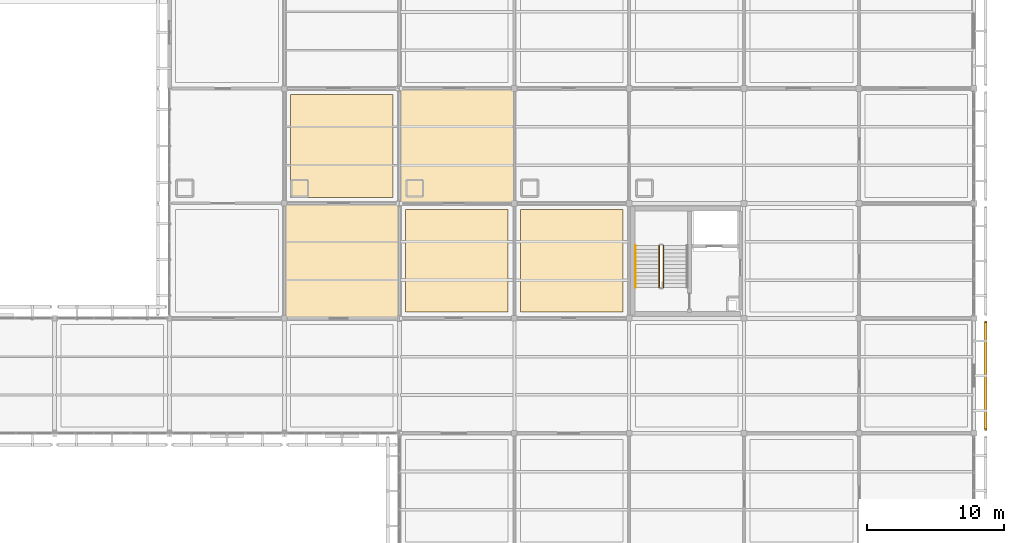
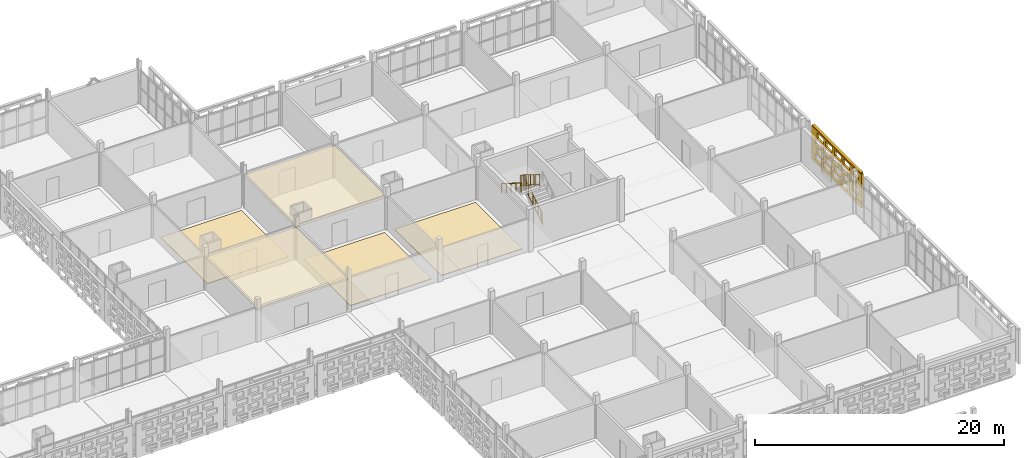
# One storey, part 162 of 166: 6 coverings, 3 railings, 1 shading device, 20 openings.
"""IFC4 building model written with IfcOpenShell, lengths in metres."""

from ifc_helpers import new_model, si_unit, direction, frame, frame_2d, origin, origin_2d, place, context, subcontext, project, spatial, rectangle, circle, extrude, material, layer, layer_set, type_object, element, save


model = new_model("IFC4")

# Units and contexts
model_context = context("Model", 3, precision=1e-05, world=origin(), true_north=direction((0.0, 1.0)))
body_context = subcontext(model_context, "Body", "Model", "MODEL_VIEW")
ifc_project = project(units=[si_unit("LENGTHUNIT", "METRE"), si_unit("AREAUNIT", "SQUARE_METRE"), si_unit("VOLUMEUNIT", "CUBIC_METRE"), si_unit("PLANEANGLEUNIT", "RADIAN"), si_unit("MASSUNIT", "GRAM", prefix="KILO")], contexts=[model_context])

# Site, building, storey
site_placement = place(None, origin())
site = spatial("IfcSite", under=ifc_project, at=site_placement, CompositionType="ELEMENT")
building_placement = place(site_placement, origin())
building = spatial("IfcBuilding", under=site, at=building_placement, Name="Varnapada Polytechnic", CompositionType="ELEMENT")
storey_placement = place(building_placement, frame((0.0, 0.0, 9.60009765625)))
storey = spatial("IfcBuildingStorey", under=building, at=storey_placement, Name="L02", CompositionType="ELEMENT", Elevation=9.60009765625)

# Coverings
ifc_material_1 = material(Name="End-Grain Timber Studio Block Flooring", Category="wood")
ifc_layer_1 = layer(ifc_material_1, 0.054931640625)
ifc_layer_set_1 = layer_set([ifc_layer_1], Name="End-Grain Timber Studio Block Flooring")
covering_type_1 = type_object("IfcCoveringType", Name="Floor Finish FLR-04", PredefinedType="FLOORING", material=ifc_layer_set_1)
for number, where, z_axis, x_axis, name in (
    (1, (130.199951171875, 105.0, 0.0), (0.0, 0.0, 1.0), (1.0, 0.0, 0.0), "L02 floor finish panel (16,13)"),
    (2, (138.60009765625, 96.60009765625, 0.0), (0.0, 0.0, 1.0), (1.0, 0.0, 0.0), "L02 floor finish panel (17,12)"),
    (3, (147.0, 96.60009765625, 0.0), (0.0, 0.0, 1.0), (1.0, 0.0, 0.0), "L02 floor finish panel (18,12)"),
):
    element("IfcCovering", number, at=place(storey_placement, frame(where, z_axis=z_axis, x_axis=x_axis)), inside=storey, type_object=covering_type_1, Name=name, PredefinedType="FLOORING", context=body_context, shape_type="SweptSolid", body=[
        extrude(rectangle(XDim=7.5, YDim=7.5, at=origin_2d()), origin(), (0.0, 0.0, 1.0), 0.054931640625),
    ])

# Railings
ifc_material_2 = material(Name="Brushed Stainless Steel 316", Category="steel")
railing_type_1 = type_object("IfcRailingType", Name="Stair Wall Handrail SHR-01", PredefinedType="HANDRAIL", material=ifc_material_2)
railing_1_placement = place(storey_placement, frame((151.64990234375, 97.72998046875, 2.27490234375)))
element("IfcRailing", 4, at=railing_1_placement, inside=storey, type_object=railing_type_1, Name="L02 ST-5 stair handrail 2", PredefinedType="HANDRAIL", context=body_context, shape_type="SweptSolid", body=[
    extrude(circle(Radius=0.02392578125, at=origin_2d()), frame((0.0, 0.0, 0.8759765625), z_axis=(0.0, -0.847998304005, 0.529998940003), x_axis=(1.0, 0.0, 0.0)), (0.0, 0.0, 1.0), 3.632080078125),
    extrude(circle(Radius=0.02099609375, at=origin_2d()), origin(), (0.0, 0.0, 1.0), 0.851806640625),
    extrude(circle(Radius=0.02099609375, at=origin_2d()), frame((0.0, -0.77001953125, 0.481201171875)), (0.0, 0.0, 1.0), 0.851806640625),
    extrude(circle(Radius=0.02099609375, at=origin_2d()), frame((0.0, -1.5400390625, 0.96240234375)), (0.0, 0.0, 1.0), 0.851806640625),
    extrude(circle(Radius=0.02099609375, at=origin_2d()), frame((0.0, -2.31005859375, 1.44384765625)), (0.0, 0.0, 1.0), 0.851806640625),
    extrude(circle(Radius=0.02099609375, at=origin_2d()), frame((0.0, -3.080078125, 1.925048828125)), (0.0, 0.0, 1.0), 0.851806640625),
])
railing_type_2 = type_object("IfcRailingType", Name="Stair Well Guard Rail SGR-01", PredefinedType="BALUSTRADE", material=ifc_material_2)
railing_2_placement = place(storey_placement, frame((153.699951171875, 94.64990234375, 0.1748046875)))
element("IfcRailing", 5, at=railing_2_placement, inside=storey, type_object=railing_type_2, Name="L02 ST-5 stair guard 1", PredefinedType="BALUSTRADE", context=body_context, shape_type="SweptSolid", body=[
    extrude(circle(Radius=0.02392578125, at=origin_2d()), frame((0.0, 0.0, 1.09619140625), z_axis=(0.0, 0.847998304005, 0.529998940003), x_axis=(-1.0, 0.0, 0.0)), (0.0, 0.0, 1.0), 3.632080078125),
    extrude(circle(Radius=0.02392578125, at=origin_2d()), frame((0.0, 0.0, 0.10009765625), z_axis=(0.0, 0.847998304005, 0.529998940003), x_axis=(-1.0, 0.0, 0.0)), (0.0, 0.0, 1.0), 3.632080078125),
    extrude(circle(Radius=0.02099609375, at=origin_2d()), origin(), (0.0, 0.0, 1.0), 1.072021484375),
    extrude(circle(Radius=0.02099609375, at=origin_2d()), frame((0.0, 0.77001953125, 0.481201171875)), (0.0, 0.0, 1.0), 1.072021484375),
    extrude(circle(Radius=0.02099609375, at=origin_2d()), frame((0.0, 1.5400390625, 0.96240234375)), (0.0, 0.0, 1.0), 1.072021484375),
    extrude(circle(Radius=0.02099609375, at=origin_2d()), frame((0.0, 2.31005859375, 1.44384765625)), (0.0, 0.0, 1.0), 1.072021484375),
    extrude(circle(Radius=0.02099609375, at=origin_2d()), frame((0.0, 3.080078125, 1.925048828125)), (0.0, 0.0, 1.0), 1.072021484375),
    extrude(circle(Radius=0.010009765625, at=origin_2d()), frame((0.0, 0.205322265625, 0.228515625)), (0.0, 0.0, 1.0), 0.971923828125),
    extrude(circle(Radius=0.010009765625, at=origin_2d()), frame((0.0, 0.41064453125, 0.356689453125)), (0.0, 0.0, 1.0), 0.971923828125),
    extrude(circle(Radius=0.010009765625, at=origin_2d()), frame((0.0, 0.615966796875, 0.485107421875)), (0.0, 0.0, 1.0), 0.971923828125),
    extrude(circle(Radius=0.010009765625, at=origin_2d()), frame((0.0, 0.8212890625, 0.613525390625)), (0.0, 0.0, 1.0), 0.971923828125),
    extrude(circle(Radius=0.010009765625, at=origin_2d()), frame((0.0, 1.026611328125, 0.74169921875)), (0.0, 0.0, 1.0), 0.971923828125),
    extrude(circle(Radius=0.010009765625, at=origin_2d()), frame((0.0, 1.23193359375, 0.8701171875)), (0.0, 0.0, 1.0), 0.971923828125),
    extrude(circle(Radius=0.010009765625, at=origin_2d()), frame((0.0, 1.437255859375, 0.99853515625)), (0.0, 0.0, 1.0), 0.971923828125),
    extrude(circle(Radius=0.010009765625, at=origin_2d()), frame((0.0, 1.642822265625, 1.126708984375)), (0.0, 0.0, 1.0), 0.971923828125),
    extrude(circle(Radius=0.010009765625, at=origin_2d()), frame((0.0, 1.84814453125, 1.255126953125)), (0.0, 0.0, 1.0), 0.971923828125),
    extrude(circle(Radius=0.010009765625, at=origin_2d()), frame((0.0, 2.053466796875, 1.383544921875)), (0.0, 0.0, 1.0), 0.971923828125),
    extrude(circle(Radius=0.010009765625, at=origin_2d()), frame((0.0, 2.2587890625, 1.51171875)), (0.0, 0.0, 1.0), 0.971923828125),
    extrude(circle(Radius=0.010009765625, at=origin_2d()), frame((0.0, 2.464111328125, 1.64013671875)), (0.0, 0.0, 1.0), 0.971923828125),
    extrude(circle(Radius=0.010009765625, at=origin_2d()), frame((0.0, 2.66943359375, 1.7685546875)), (0.0, 0.0, 1.0), 0.971923828125),
    extrude(circle(Radius=0.010009765625, at=origin_2d()), frame((0.0, 2.874755859375, 1.896728515625)), (0.0, 0.0, 1.0), 0.971923828125),
])
railing_3_placement = place(storey_placement, frame((153.39990234375, 97.72998046875, 2.27490234375)))
element("IfcRailing", 6, at=railing_3_placement, inside=storey, type_object=railing_type_2, Name="L02 ST-5 stair guard 3", PredefinedType="BALUSTRADE", context=body_context, shape_type="SweptSolid", body=[
    extrude(circle(Radius=0.02392578125, at=origin_2d()), frame((0.0, 0.0, 1.09619140625), z_axis=(0.0, -0.847998304005, 0.529998940003), x_axis=(1.0, 0.0, 0.0)), (0.0, 0.0, 1.0), 3.632080078125),
    extrude(circle(Radius=0.02392578125, at=origin_2d()), frame((0.0, 0.0, 0.10009765625), z_axis=(0.0, -0.847998304005, 0.529998940003), x_axis=(1.0, 0.0, 0.0)), (0.0, 0.0, 1.0), 3.632080078125),
    extrude(circle(Radius=0.02099609375, at=origin_2d()), origin(), (0.0, 0.0, 1.0), 1.072021484375),
    extrude(circle(Radius=0.02099609375, at=origin_2d()), frame((0.0, -0.77001953125, 0.481201171875)), (0.0, 0.0, 1.0), 1.072021484375),
    extrude(circle(Radius=0.02099609375, at=origin_2d()), frame((0.0, -1.5400390625, 0.96240234375)), (0.0, 0.0, 1.0), 1.072021484375),
    extrude(circle(Radius=0.02099609375, at=origin_2d()), frame((0.0, -2.31005859375, 1.44384765625)), (0.0, 0.0, 1.0), 1.072021484375),
    extrude(circle(Radius=0.02099609375, at=origin_2d()), frame((0.0, -3.080078125, 1.925048828125)), (0.0, 0.0, 1.0), 1.072021484375),
    extrude(circle(Radius=0.010009765625, at=origin_2d()), frame((0.0, -0.205322265625, 0.228515625)), (0.0, 0.0, 1.0), 0.971923828125),
    extrude(circle(Radius=0.010009765625, at=origin_2d()), frame((0.0, -0.41064453125, 0.356689453125)), (0.0, 0.0, 1.0), 0.971923828125),
    extrude(circle(Radius=0.010009765625, at=origin_2d()), frame((0.0, -0.615966796875, 0.485107421875)), (0.0, 0.0, 1.0), 0.971923828125),
    extrude(circle(Radius=0.010009765625, at=origin_2d()), frame((0.0, -0.8212890625, 0.613525390625)), (0.0, 0.0, 1.0), 0.971923828125),
    extrude(circle(Radius=0.010009765625, at=origin_2d()), frame((0.0, -1.026611328125, 0.74169921875)), (0.0, 0.0, 1.0), 0.971923828125),
    extrude(circle(Radius=0.010009765625, at=origin_2d()), frame((0.0, -1.23193359375, 0.8701171875)), (0.0, 0.0, 1.0), 0.971923828125),
    extrude(circle(Radius=0.010009765625, at=origin_2d()), frame((0.0, -1.437255859375, 0.99853515625)), (0.0, 0.0, 1.0), 0.971923828125),
    extrude(circle(Radius=0.010009765625, at=origin_2d()), frame((0.0, -1.642822265625, 1.126708984375)), (0.0, 0.0, 1.0), 0.971923828125),
    extrude(circle(Radius=0.010009765625, at=origin_2d()), frame((0.0, -1.84814453125, 1.255126953125)), (0.0, 0.0, 1.0), 0.971923828125),
    extrude(circle(Radius=0.010009765625, at=origin_2d()), frame((0.0, -2.053466796875, 1.383544921875)), (0.0, 0.0, 1.0), 0.971923828125),
    extrude(circle(Radius=0.010009765625, at=origin_2d()), frame((0.0, -2.2587890625, 1.51171875)), (0.0, 0.0, 1.0), 0.971923828125),
    extrude(circle(Radius=0.010009765625, at=origin_2d()), frame((0.0, -2.464111328125, 1.64013671875)), (0.0, 0.0, 1.0), 0.971923828125),
    extrude(circle(Radius=0.010009765625, at=origin_2d()), frame((0.0, -2.66943359375, 1.7685546875)), (0.0, 0.0, 1.0), 0.971923828125),
    extrude(circle(Radius=0.010009765625, at=origin_2d()), frame((0.0, -2.874755859375, 1.896728515625)), (0.0, 0.0, 1.0), 0.971923828125),
])

# Coverings
ifc_material_3 = material(Name="Moisture-Resistant Aluminum Baffle Ceiling", Category="aluminium")
ifc_layer_2 = layer(ifc_material_3, 0.030029296875)
ifc_layer_set_2 = layer_set([ifc_layer_2], Name="Moisture-Resistant Aluminum Baffle Ceiling")
covering_type_2 = type_object("IfcCoveringType", Name="Suspended Ceiling CLG-03", PredefinedType="CEILING", material=ifc_layer_set_2)
for number, where, z_axis, x_axis, name in (
    (7, (130.199951171875, 96.60009765625, 3.03466796875), (0.0, 0.0, 1.0), (1.0, 0.0, 0.0), "L02 suspended acoustic ceiling (16,12)"),
    (8, (138.60009765625, 105.0, 3.03466796875), (0.0, 0.0, 1.0), (1.0, 0.0, 0.0), "L02 suspended acoustic ceiling (17,13)"),
):
    element("IfcCovering", number, at=place(storey_placement, frame(where, z_axis=z_axis, x_axis=x_axis)), inside=storey, type_object=covering_type_2, Name=name, PredefinedType="CEILING", context=body_context, shape_type="SweptSolid", body=[
        extrude(rectangle(XDim=8.419921875, YDim=8.419921875, at=origin_2d()), origin(), (0.0, 0.0, 1.0), 0.030029296875),
    ])

# Covering, openings
ifc_material_4 = material(Name="Earth-toned architectural terracotta screen block", Category="masonry")
ifc_layer_3 = layer(ifc_material_4, 0.1201171875)
ifc_layer_set_3 = layer_set([ifc_layer_3], Name="Earth-toned architectural terracotta screen block")
covering_type_3 = type_object("IfcCoveringType", Name="Terracotta Screen Cladding CLD-01", PredefinedType="CLADDING", material=ifc_layer_set_3)
covering_placement = place(storey_placement, frame((177.25, 92.18994140625, 0.0), z_axis=(0.0, 0.0, 1.0), x_axis=(0.0, -1.0, 0.0)))
covering = element("IfcCovering", 9, at=covering_placement, inside=storey, type_object=covering_type_3, Name="L02 perforated terracotta block screen (112)", PredefinedType="CLADDING", context=body_context, shape_type="SweptSolid", body=[
    extrude(rectangle(XDim=7.97998046875, YDim=0.179931640625, at=frame_2d((3.989990234375, 0.0))), origin(), (0.0, 0.0, 1.0), 3.31982421875),
])
opening_1_placement = place(covering_placement, frame((0.489990234375, 0.0, 0.265625)))
element("IfcOpeningElement", 10, at=opening_1_placement, cuts=covering, Name="Screen perforation TBS-L02-111.1", PredefinedType="OPENING", context=body_context, shape_type="SweptSolid", body=[
    extrude(rectangle(XDim=1.0400390625, YDim=0.5810546875, at=frame_2d((0.52001953125, 0.29052734375))), frame((0.0, 0.099853515625, 0.0), z_axis=(0.0, -1.0, 0.0), x_axis=(1.0, 0.0, 0.0)), (0.0, 0.0, 1.0), 0.199951171875),
])
opening_2_placement = place(covering_placement, frame((1.889892578125, 0.0, 0.265625)))
element("IfcOpeningElement", 11, at=opening_2_placement, cuts=covering, Name="Screen perforation TBS-L02-111.2", PredefinedType="OPENING", context=body_context, shape_type="SweptSolid", body=[
    extrude(rectangle(XDim=1.0400390625, YDim=0.5810546875, at=frame_2d((0.52001953125, 0.29052734375))), frame((0.0, 0.099853515625, 0.0), z_axis=(0.0, -1.0, 0.0), x_axis=(1.0, 0.0, 0.0)), (0.0, 0.0, 1.0), 0.199951171875),
])
opening_3_placement = place(covering_placement, frame((3.2900390625, 0.0, 0.265625)))
element("IfcOpeningElement", 12, at=opening_3_placement, cuts=covering, Name="Screen perforation TBS-L02-111.3", PredefinedType="OPENING", context=body_context, shape_type="SweptSolid", body=[
    extrude(rectangle(XDim=1.0400390625, YDim=0.5810546875, at=frame_2d((0.52001953125, 0.29052734375))), frame((0.0, 0.099853515625, 0.0), z_axis=(0.0, -1.0, 0.0), x_axis=(1.0, 0.0, 0.0)), (0.0, 0.0, 1.0), 0.199951171875),
])
opening_4_placement = place(covering_placement, frame((4.68994140625, 0.0, 0.265625)))
element("IfcOpeningElement", 13, at=opening_4_placement, cuts=covering, Name="Screen perforation TBS-L02-111.4", PredefinedType="OPENING", context=body_context, shape_type="SweptSolid", body=[
    extrude(rectangle(XDim=1.0400390625, YDim=0.5810546875, at=frame_2d((0.52001953125, 0.29052734375))), frame((0.0, 0.099853515625, 0.0), z_axis=(0.0, -1.0, 0.0), x_axis=(1.0, 0.0, 0.0)), (0.0, 0.0, 1.0), 0.199951171875),
])
opening_5_placement = place(covering_placement, frame((6.090087890625, 0.0, 0.265625)))
element("IfcOpeningElement", 14, at=opening_5_placement, cuts=covering, Name="Screen perforation TBS-L02-111.5", PredefinedType="OPENING", context=body_context, shape_type="SweptSolid", body=[
    extrude(rectangle(XDim=1.0400390625, YDim=0.5810546875, at=frame_2d((0.52001953125, 0.29052734375))), frame((0.0, 0.099853515625, 0.0), z_axis=(0.0, -1.0, 0.0), x_axis=(1.0, 0.0, 0.0)), (0.0, 0.0, 1.0), 0.199951171875),
])
opening_6_placement = place(covering_placement, frame((0.85009765625, 0.0, 1.0126953125)))
element("IfcOpeningElement", 15, at=opening_6_placement, cuts=covering, Name="Screen perforation TBS-L02-111.6", PredefinedType="OPENING", context=body_context, shape_type="SweptSolid", body=[
    extrude(rectangle(XDim=1.0400390625, YDim=0.5810546875, at=frame_2d((0.52001953125, 0.29052734375))), frame((0.0, 0.099853515625, 0.0), z_axis=(0.0, -1.0, 0.0), x_axis=(1.0, 0.0, 0.0)), (0.0, 0.0, 1.0), 0.199951171875),
])
opening_7_placement = place(covering_placement, frame((2.25, 0.0, 1.0126953125)))
element("IfcOpeningElement", 16, at=opening_7_placement, cuts=covering, Name="Screen perforation TBS-L02-111.7", PredefinedType="OPENING", context=body_context, shape_type="SweptSolid", body=[
    extrude(rectangle(XDim=1.0400390625, YDim=0.5810546875, at=frame_2d((0.52001953125, 0.29052734375))), frame((0.0, 0.099853515625, 0.0), z_axis=(0.0, -1.0, 0.0), x_axis=(1.0, 0.0, 0.0)), (0.0, 0.0, 1.0), 0.199951171875),
])
opening_8_placement = place(covering_placement, frame((3.64990234375, 0.0, 1.0126953125)))
element("IfcOpeningElement", 17, at=opening_8_placement, cuts=covering, Name="Screen perforation TBS-L02-111.8", PredefinedType="OPENING", context=body_context, shape_type="SweptSolid", body=[
    extrude(rectangle(XDim=1.0400390625, YDim=0.5810546875, at=frame_2d((0.52001953125, 0.29052734375))), frame((0.0, 0.099853515625, 0.0), z_axis=(0.0, -1.0, 0.0), x_axis=(1.0, 0.0, 0.0)), (0.0, 0.0, 1.0), 0.199951171875),
])
opening_9_placement = place(covering_placement, frame((5.050048828125, 0.0, 1.0126953125)))
element("IfcOpeningElement", 18, at=opening_9_placement, cuts=covering, Name="Screen perforation TBS-L02-111.9", PredefinedType="OPENING", context=body_context, shape_type="SweptSolid", body=[
    extrude(rectangle(XDim=1.0400390625, YDim=0.5810546875, at=frame_2d((0.52001953125, 0.29052734375))), frame((0.0, 0.099853515625, 0.0), z_axis=(0.0, -1.0, 0.0), x_axis=(1.0, 0.0, 0.0)), (0.0, 0.0, 1.0), 0.199951171875),
])
opening_10_placement = place(covering_placement, frame((6.449951171875, 0.0, 1.0126953125)))
element("IfcOpeningElement", 19, at=opening_10_placement, cuts=covering, Name="Screen perforation TBS-L02-111.10", PredefinedType="OPENING", context=body_context, shape_type="SweptSolid", body=[
    extrude(rectangle(XDim=1.0400390625, YDim=0.5810546875, at=frame_2d((0.52001953125, 0.29052734375))), frame((0.0, 0.099853515625, 0.0), z_axis=(0.0, -1.0, 0.0), x_axis=(1.0, 0.0, 0.0)), (0.0, 0.0, 1.0), 0.199951171875),
])
opening_11_placement = place(covering_placement, frame((0.489990234375, 0.0, 1.759521484375)))
element("IfcOpeningElement", 20, at=opening_11_placement, cuts=covering, Name="Screen perforation TBS-L02-111.11", PredefinedType="OPENING", context=body_context, shape_type="SweptSolid", body=[
    extrude(rectangle(XDim=1.0400390625, YDim=0.5810546875, at=frame_2d((0.52001953125, 0.29052734375))), frame((0.0, 0.099853515625, 0.0), z_axis=(0.0, -1.0, 0.0), x_axis=(1.0, 0.0, 0.0)), (0.0, 0.0, 1.0), 0.199951171875),
])
opening_12_placement = place(covering_placement, frame((1.889892578125, 0.0, 1.759521484375)))
element("IfcOpeningElement", 21, at=opening_12_placement, cuts=covering, Name="Screen perforation TBS-L02-111.12", PredefinedType="OPENING", context=body_context, shape_type="SweptSolid", body=[
    extrude(rectangle(XDim=1.0400390625, YDim=0.5810546875, at=frame_2d((0.52001953125, 0.29052734375))), frame((0.0, 0.099853515625, 0.0), z_axis=(0.0, -1.0, 0.0), x_axis=(1.0, 0.0, 0.0)), (0.0, 0.0, 1.0), 0.199951171875),
])
opening_13_placement = place(covering_placement, frame((3.2900390625, 0.0, 1.759521484375)))
element("IfcOpeningElement", 22, at=opening_13_placement, cuts=covering, Name="Screen perforation TBS-L02-111.13", PredefinedType="OPENING", context=body_context, shape_type="SweptSolid", body=[
    extrude(rectangle(XDim=1.0400390625, YDim=0.5810546875, at=frame_2d((0.52001953125, 0.29052734375))), frame((0.0, 0.099853515625, 0.0), z_axis=(0.0, -1.0, 0.0), x_axis=(1.0, 0.0, 0.0)), (0.0, 0.0, 1.0), 0.199951171875),
])
opening_14_placement = place(covering_placement, frame((4.68994140625, 0.0, 1.759521484375)))
element("IfcOpeningElement", 23, at=opening_14_placement, cuts=covering, Name="Screen perforation TBS-L02-111.14", PredefinedType="OPENING", context=body_context, shape_type="SweptSolid", body=[
    extrude(rectangle(XDim=1.0400390625, YDim=0.5810546875, at=frame_2d((0.52001953125, 0.29052734375))), frame((0.0, 0.099853515625, 0.0), z_axis=(0.0, -1.0, 0.0), x_axis=(1.0, 0.0, 0.0)), (0.0, 0.0, 1.0), 0.199951171875),
])
opening_15_placement = place(covering_placement, frame((6.090087890625, 0.0, 1.759521484375)))
element("IfcOpeningElement", 24, at=opening_15_placement, cuts=covering, Name="Screen perforation TBS-L02-111.15", PredefinedType="OPENING", context=body_context, shape_type="SweptSolid", body=[
    extrude(rectangle(XDim=1.0400390625, YDim=0.5810546875, at=frame_2d((0.52001953125, 0.29052734375))), frame((0.0, 0.099853515625, 0.0), z_axis=(0.0, -1.0, 0.0), x_axis=(1.0, 0.0, 0.0)), (0.0, 0.0, 1.0), 0.199951171875),
])
opening_16_placement = place(covering_placement, frame((0.85009765625, 0.0, 2.506591796875)))
element("IfcOpeningElement", 25, at=opening_16_placement, cuts=covering, Name="Screen perforation TBS-L02-111.16", PredefinedType="OPENING", context=body_context, shape_type="SweptSolid", body=[
    extrude(rectangle(XDim=1.0400390625, YDim=0.5810546875, at=frame_2d((0.52001953125, 0.29052734375))), frame((0.0, 0.099853515625, 0.0), z_axis=(0.0, -1.0, 0.0), x_axis=(1.0, 0.0, 0.0)), (0.0, 0.0, 1.0), 0.199951171875),
])
opening_17_placement = place(covering_placement, frame((2.25, 0.0, 2.506591796875)))
element("IfcOpeningElement", 26, at=opening_17_placement, cuts=covering, Name="Screen perforation TBS-L02-111.17", PredefinedType="OPENING", context=body_context, shape_type="SweptSolid", body=[
    extrude(rectangle(XDim=1.0400390625, YDim=0.5810546875, at=frame_2d((0.52001953125, 0.29052734375))), frame((0.0, 0.099853515625, 0.0), z_axis=(0.0, -1.0, 0.0), x_axis=(1.0, 0.0, 0.0)), (0.0, 0.0, 1.0), 0.199951171875),
])
opening_18_placement = place(covering_placement, frame((3.64990234375, 0.0, 2.506591796875)))
element("IfcOpeningElement", 27, at=opening_18_placement, cuts=covering, Name="Screen perforation TBS-L02-111.18", PredefinedType="OPENING", context=body_context, shape_type="SweptSolid", body=[
    extrude(rectangle(XDim=1.0400390625, YDim=0.5810546875, at=frame_2d((0.52001953125, 0.29052734375))), frame((0.0, 0.099853515625, 0.0), z_axis=(0.0, -1.0, 0.0), x_axis=(1.0, 0.0, 0.0)), (0.0, 0.0, 1.0), 0.199951171875),
])
opening_19_placement = place(covering_placement, frame((5.050048828125, 0.0, 2.506591796875)))
element("IfcOpeningElement", 28, at=opening_19_placement, cuts=covering, Name="Screen perforation TBS-L02-111.19", PredefinedType="OPENING", context=body_context, shape_type="SweptSolid", body=[
    extrude(rectangle(XDim=1.0400390625, YDim=0.5810546875, at=frame_2d((0.52001953125, 0.29052734375))), frame((0.0, 0.099853515625, 0.0), z_axis=(0.0, -1.0, 0.0), x_axis=(1.0, 0.0, 0.0)), (0.0, 0.0, 1.0), 0.199951171875),
])
opening_20_placement = place(covering_placement, frame((6.449951171875, 0.0, 2.506591796875)))
element("IfcOpeningElement", 29, at=opening_20_placement, cuts=covering, Name="Screen perforation TBS-L02-111.20", PredefinedType="OPENING", context=body_context, shape_type="SweptSolid", body=[
    extrude(rectangle(XDim=1.0400390625, YDim=0.5810546875, at=frame_2d((0.52001953125, 0.29052734375))), frame((0.0, 0.099853515625, 0.0), z_axis=(0.0, -1.0, 0.0), x_axis=(1.0, 0.0, 0.0)), (0.0, 0.0, 1.0), 0.199951171875),
])

# Shading device
ifc_layer_4 = layer(ifc_material_4, 0.179931640625)
ifc_layer_set_4 = layer_set([ifc_layer_4], Name="Earth-toned architectural terracotta screen block")
shading_device_type = type_object("IfcShadingDeviceType", Name="Terracotta Screen SCR-01", PredefinedType="USERDEFINED", material=ifc_layer_set_4)
shading_device_placement = place(storey_placement, frame((177.25, 88.199951171875, 3.309814453125), z_axis=(0.0, 0.0, 1.0), x_axis=(0.0, -1.0, 0.0)))
element("IfcShadingDevice", 30, at=shading_device_placement, inside=storey, type_object=shading_device_type, Name="L02 perforated terracotta screen hood 331", ObjectType="SCREEN", PredefinedType="USERDEFINED", context=body_context, shape_type="SweptSolid", body=[
    extrude(rectangle(XDim=7.780029296875, YDim=0.239990234375, at=origin_2d()), origin(), (0.0, 0.0, 1.0), 0.10009765625),
])

save(model, "model.ifc")
